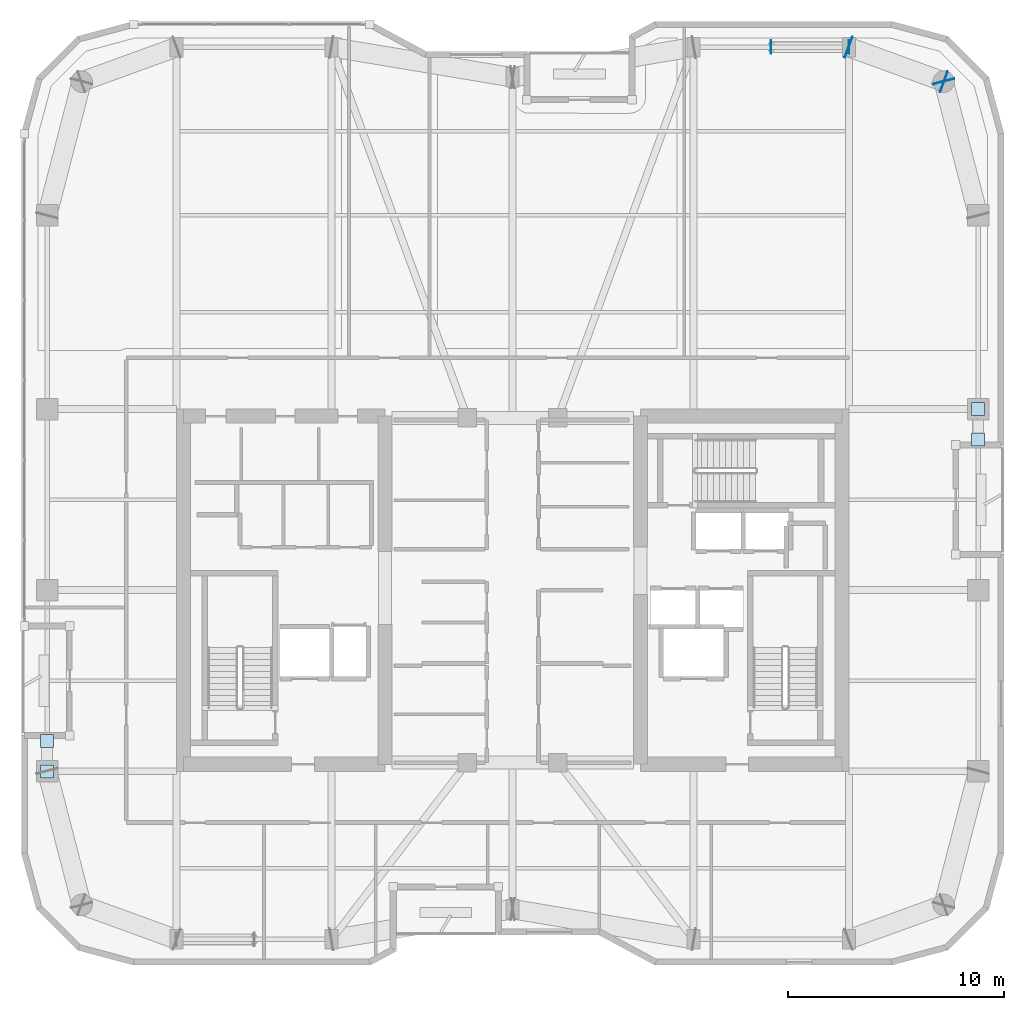
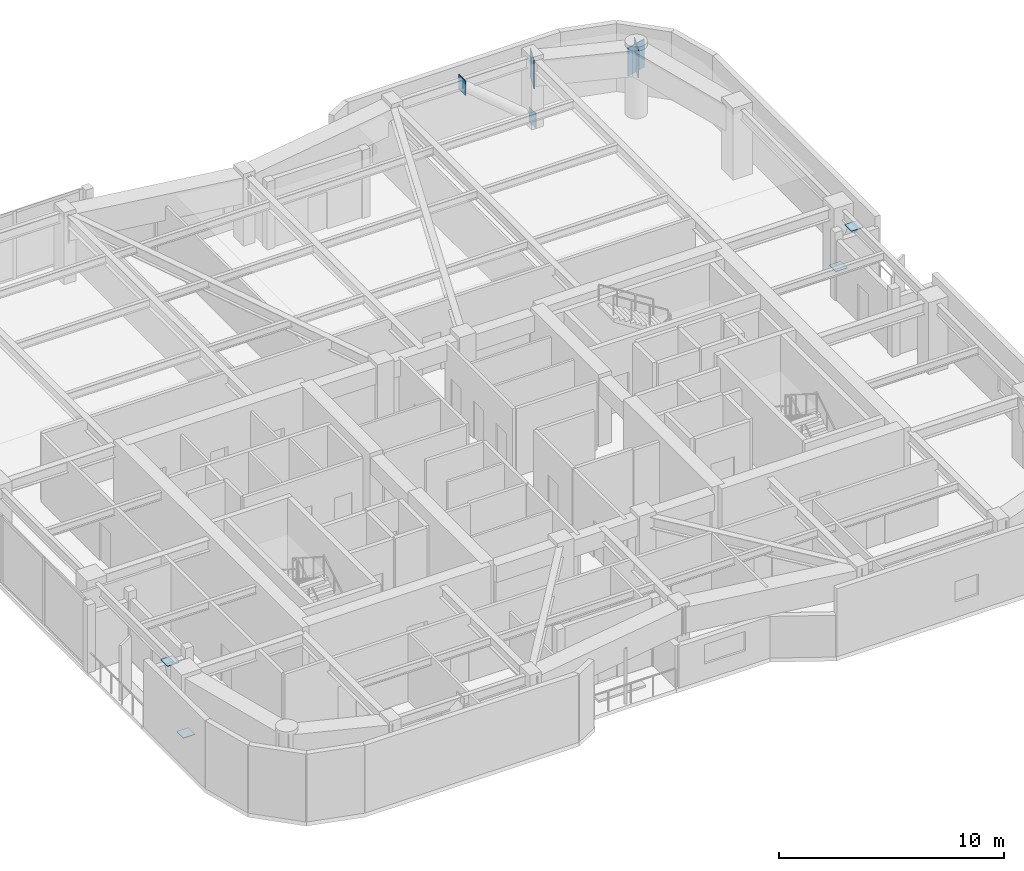
# One storey, part 14 of 21: 9 plates.
"""IFC4 building model written with IfcOpenShell, lengths in metres."""

from ifc_helpers import new_model, si_unit, direction, frame, origin, origin_2d, place, context, subcontext, project, spatial, rectangle, extrude, material, layer, layer_set, type_object, element, save


model = new_model("IFC4")

# Units and contexts
model_context = context("Model", 3, precision=1e-05, world=origin(), true_north=direction((0.0, 1.0)))
body_context = subcontext(model_context, "Body", "Model", "MODEL_VIEW")
ifc_project = project(units=[si_unit("LENGTHUNIT", "METRE"), si_unit("AREAUNIT", "SQUARE_METRE"), si_unit("VOLUMEUNIT", "CUBIC_METRE"), si_unit("PLANEANGLEUNIT", "RADIAN"), si_unit("MASSUNIT", "GRAM", prefix="KILO")], contexts=[model_context])

# Site, building, storey
site_placement = place(None, origin())
site = spatial("IfcSite", under=ifc_project, at=site_placement, CompositionType="ELEMENT")
building_placement = place(site_placement, origin())
building = spatial("IfcBuilding", under=site, at=building_placement, Name="Kiyonajd Concourse Tower", CompositionType="ELEMENT")
storey_placement = place(building_placement, frame((0.0, 0.0, 247.199951171875)))
storey = spatial("IfcBuildingStorey", under=building, at=storey_placement, Name="L62", CompositionType="ELEMENT", Elevation=247.199951171875)

# Plates
ifc_material = material(Name="Steel ASTM A572 Grade 50", Category="steel")
ifc_layer_1 = layer(ifc_material, 0.028076171875)
ifc_layer_set_1 = layer_set([ifc_layer_1], Name="Steel ASTM A572 Grade 50")
plate_type_1 = type_object("IfcPlateType", Name="PL-CAP-450", PredefinedType="USERDEFINED", material=ifc_layer_set_1)
for number, where, z_axis, x_axis, name in (
    (1, (63.6083984375, 61.199951171875, -0.10888671875), (0.0, 0.0, 1.0), (1.0, 0.0, 0.0), "L62 Hollow Brace End Cap Plate PBN"),
    (2, (59.99169921875, 61.199951171875, 2.93505859375), (0.0, 0.0, 1.0), (-1.0, 0.0, 0.0), "L62 Hollow Brace Top Cap Plate PBN"),
):
    element("IfcPlate", number, at=place(storey_placement, frame(where, z_axis=z_axis, x_axis=x_axis)), inside=storey, type_object=plate_type_1, Name=name, ObjectType="CAP PLATE", PredefinedType="USERDEFINED", context=body_context, shape_type="SweptSolid", body=[
        extrude(rectangle(XDim=0.035888671875, YDim=0.6279296875, at=origin_2d()), origin(), (0.0, 0.0, 1.0), 0.803955078125),
    ])
for number, where, z_axis, x_axis, name in (
    (3, (26.39990234375, 27.595458984375, 0.27587890625), (0.0, 0.0, 1.0), (1.0, 0.0, 0.0), "L62 Hollow Brace End Cap Plate PBW"),
    (4, (26.39990234375, 29.004638671875, 3.326171875), (0.0, 0.0, 1.0), (1.0, 0.0, 0.0), "L62 Hollow Brace Top Cap Plate PBW"),
    (5, (69.60009765625, 44.404541015625, 0.27587890625), (0.0, 0.0, 1.0), (1.0, 0.0, 0.0), "L62 Hollow Brace End Cap Plate PBE"),
    (6, (69.60009765625, 42.995361328125, 3.326171875), (0.0, 0.0, 1.0), (1.0, 0.0, 0.0), "L62 Hollow Brace Top Cap Plate PBE"),
):
    element("IfcPlate", number, at=place(storey_placement, frame(where, z_axis=z_axis, x_axis=x_axis)), inside=storey, type_object=plate_type_1, Name=name, ObjectType="CAP PLATE", PredefinedType="USERDEFINED", context=body_context, shape_type="SweptSolid", body=[
        extrude(rectangle(XDim=0.60791015625, YDim=0.60791015625, at=origin_2d()), origin(), (0.0, 0.0, 1.0), 0.028076171875),
    ])
ifc_layer_2 = layer(ifc_material, 0.031982421875)
ifc_layer_set_2 = layer_set([ifc_layer_2], Name="Steel ASTM A572 Grade 50")
plate_type_2 = type_object("IfcPlateType", Name="PL-CAP-540", PredefinedType="USERDEFINED", material=ifc_layer_set_2)
for number, where, z_axis, x_axis, name in (
    (7, (67.997314453125, 59.610595703125, 2.2099609375), (0.0, 0.0, 1.0), (-0.249873048837, 0.968278606324, 0.0), "L62 Welded Box Girder End Cap"),
    (8, (68.01025390625, 59.59619140625, 2.2099609375), (0.0, 0.0, 1.0), (0.939811951086, -0.341692107891, 0.0), "L62 Welded Box Girder End Cap"),
    (9, (63.589599609375, 61.203857421875, 2.2099609375), (0.0, 0.0, 1.0), (-0.939811951086, 0.341692107891, 0.0), "L62 Welded Box Girder End Cap"),
):
    element("IfcPlate", number, at=place(storey_placement, frame(where, z_axis=z_axis, x_axis=x_axis)), inside=storey, type_object=plate_type_2, Name=name, ObjectType="CAP PLATE", PredefinedType="USERDEFINED", context=body_context, shape_type="SweptSolid", body=[
        extrude(rectangle(XDim=0.035888671875, YDim=1.02001953125, at=origin_2d()), origin(), (0.0, 0.0, 1.0), 1.5400390625),
    ])

save(model, "model.ifc")
